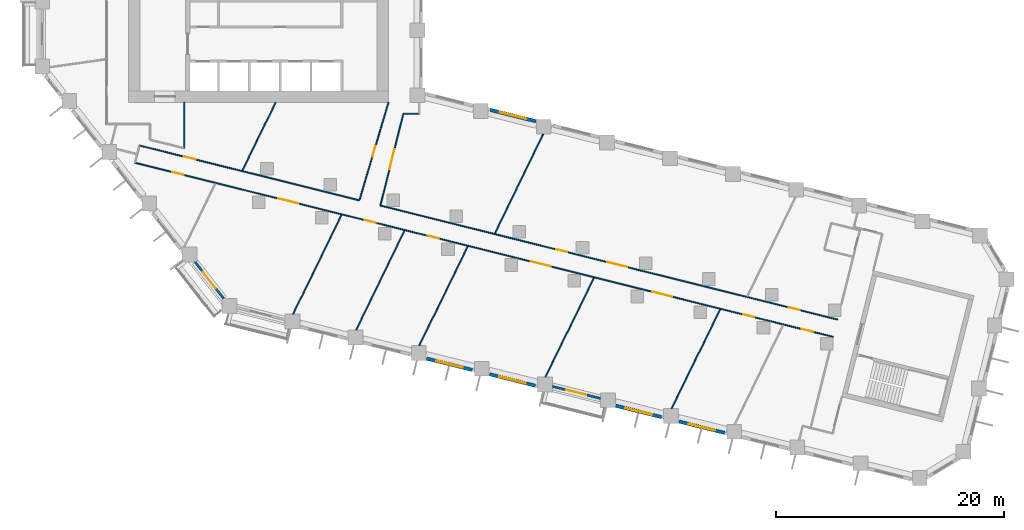
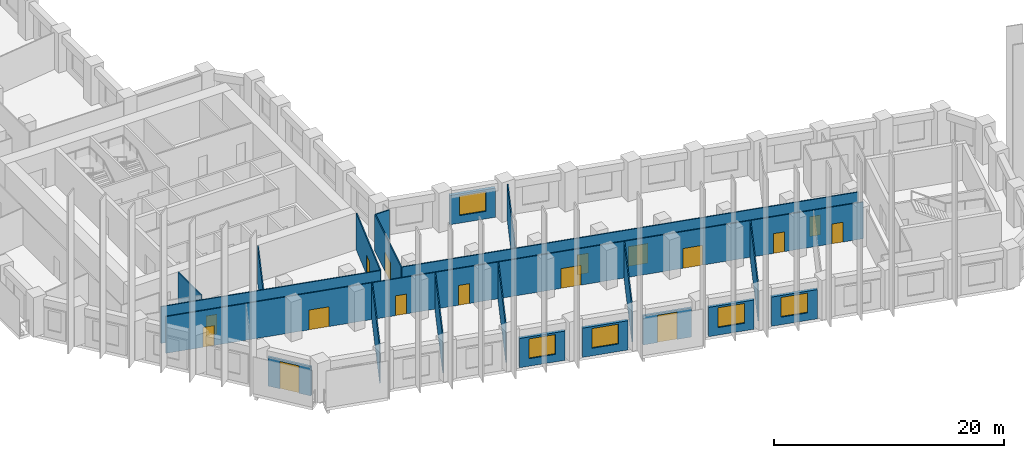
# One storey, part 3 of 11: 21 walls, 16 doors, 5 windows, 21 openings.
"""IFC4 building model written with IfcOpenShell, lengths in metres."""

import ifcopenshell
import ifcopenshell.guid

model = None  # the IFC model being written
_history = None  # IfcOwnerHistory: only IFC2X3 demands one
_inside = {}  # id of a spatial element -> (the spatial element, [elements in it])
_under = {}  # id of a project, library or spatial element -> (it, [spatial elements below it])
_declared = {}  # id of a project -> (the project, [libraries it declares])
_typed = {}  # id of a type object -> (the type object, [elements of that type])
_made_of = {}  # id of a material, layer set ... -> (it, [elements and type objects made of it])


def new_model(schema):
    """Start an empty IFC model of exactly this schema.

    Asked for "IFC4X3", IfcOpenShell would pick the latest addendum, in which some entities
    have other attributes; the version numbers below select the first issue.
    IFC2X3 requires an IfcOwnerHistory on every rooted entity: one is made here for all.
    """
    global model, _history
    if schema == "IFC4X3":
        model = ifcopenshell.file(schema_version=(4, 3, 0, 0))
    else:
        model = ifcopenshell.file(schema=schema)
    _inside.clear()
    _under.clear()
    _declared.clear()
    _typed.clear()
    _made_of.clear()
    _history = None
    if model.schema == "IFC2X3":
        org = make("IfcOrganization", Name="unknown")
        user = make(
            "IfcPersonAndOrganization",
            ThePerson=make("IfcPerson", FamilyName="unknown"),
            TheOrganization=org,
        )
        app = make(
            "IfcApplication",
            ApplicationDeveloper=org,
            Version="unknown",
            ApplicationFullName="unknown",
            ApplicationIdentifier="unknown",
        )
        _history = make(
            "IfcOwnerHistory",
            OwningUser=user,
            OwningApplication=app,
            ChangeAction="ADDED",
            CreationDate=0,
        )
    return model


def make(cls, **values):
    """One entity of the class cls with the attributes given. An attribute that is None is left unset."""
    return model.create_entity(
        cls, **{name: value for name, value in values.items() if value is not None}
    )


def rooted(cls, **values):
    """An entity with a GlobalId (a new one), such as an element, a storey or a relation."""
    return make(cls, GlobalId=ifcopenshell.guid.new(), OwnerHistory=_history, **values)


def si_unit(unit_type, name, prefix=None):
    """IfcSIUnit, for example si_unit("LENGTHUNIT", "METRE", prefix="MILLI")."""
    return make("IfcSIUnit", UnitType=unit_type, Prefix=prefix, Name=name)


def assignment(units):
    """IfcUnitAssignment: the units of a project."""
    return None if units is None else make("IfcUnitAssignment", Units=units)


def point(xyz):
    """IfcCartesianPoint."""
    return None if xyz is None else make("IfcCartesianPoint", Coordinates=xyz)


def direction(xyz):
    """IfcDirection."""
    return None if xyz is None else make("IfcDirection", DirectionRatios=xyz)


def frame(location, z_axis=None, x_axis=None):
    """IfcAxis2Placement3D, a coordinate frame: its origin and axes. An axis left out is left unset."""
    return make(
        "IfcAxis2Placement3D",
        Location=point(location),
        Axis=direction(z_axis),
        RefDirection=direction(x_axis),
    )


def frame_2d(location, x_axis=None):
    """IfcAxis2Placement2D, a coordinate frame in the plane: its origin and x axis."""
    return make(
        "IfcAxis2Placement2D", Location=point(location), RefDirection=direction(x_axis)
    )


def origin():
    """The frame at (0, 0, 0) with its axes left unset."""
    return frame((0.0, 0.0, 0.0))


def place(relative_to, where):
    """IfcLocalPlacement: puts the frame where relative to a parent placement (None: the world)."""
    return make(
        "IfcLocalPlacement", PlacementRelTo=relative_to, RelativePlacement=where
    )


def context(
    kind, dimensions, precision=None, world=None, true_north=None, identifier=None
):
    """IfcGeometricRepresentationContext, for example the 3D "Model" context."""
    return make(
        "IfcGeometricRepresentationContext",
        ContextIdentifier=identifier,
        ContextType=kind,
        CoordinateSpaceDimension=dimensions,
        Precision=precision,
        WorldCoordinateSystem=world,
        TrueNorth=true_north,
    )


def subcontext(parent, identifier, kind, view, scale=None):
    """IfcGeometricRepresentationSubContext, for example "Body" below "Model"."""
    return make(
        "IfcGeometricRepresentationSubContext",
        ContextIdentifier=identifier,
        ContextType=kind,
        ParentContext=parent,
        TargetScale=scale,
        TargetView=view,
    )


def project(units=None, contexts=None):
    """IfcProject with its units and contexts."""
    return rooted(
        "IfcProject",
        Name="project",
        RepresentationContexts=contexts,
        UnitsInContext=assignment(units),
    )


def spatial(cls, under=None, at=None, **own):
    """A site, building, storey or space (cls), placed at a placement, below another one or the project."""
    s = rooted(cls, ObjectPlacement=at, **own)
    if under is not None:
        _under.setdefault(under.id(), (under, []))[1].append(s)
    return s


def profile(cls, at=None, kind="AREA", **sizes):
    """A parametric profile (cls). Its sizes go by their IFC names, for example OverallWidth=200.0."""
    return make(cls, ProfileType=kind, Position=at, **sizes)


def rectangle(**sizes):
    """IfcRectangleProfileDef."""
    return profile("IfcRectangleProfileDef", **sizes)


def extrude(swept, where, along, depth):
    """IfcExtrudedAreaSolid: the profile swept, set in the frame where, extruded along a direction by depth."""
    return make(
        "IfcExtrudedAreaSolid",
        SweptArea=swept,
        Position=where,
        ExtrudedDirection=direction(along),
        Depth=depth,
    )


def shape(context_of_items, identifier, shape_type, items):
    """IfcShapeRepresentation: the items that make up one representation, for example the "Body"."""
    return make(
        "IfcShapeRepresentation",
        ContextOfItems=context_of_items,
        RepresentationIdentifier=identifier,
        RepresentationType=shape_type,
        Items=items,
    )


def material(Name=None, Category=None):
    """IfcMaterial."""
    return make("IfcMaterial", Name=Name, Category=Category)


def layer(
    of_material, thickness, ventilated=None, Name=None, Category=None, Priority=None
):
    """IfcMaterialLayer: one layer of a wall or slab, of a material (None: an air gap)."""
    return make(
        "IfcMaterialLayer",
        Material=of_material,
        LayerThickness=thickness,
        IsVentilated=ventilated,
        Name=Name,
        Category=Category,
        Priority=Priority,
    )


def layer_set(layers, Name=None):
    """IfcMaterialLayerSet."""
    return make("IfcMaterialLayerSet", MaterialLayers=layers, LayerSetName=Name)


def made_of(thing, what):
    """Note that an element or type object is made of a material, layer set ...; save() writes the relation."""
    if what is not None:
        _made_of.setdefault(what.id(), (what, []))[1].append(thing)
    return thing


def type_object(cls, material=None, **own):
    """A type object (cls), such as IfcWallType, which elements share."""
    return made_of(rooted(cls, **own), material)


def element(
    cls,
    number,
    at=None,
    inside=None,
    cuts=None,
    type_object=None,
    material=None,
    context=None,
    identifier="Body",
    shape_type=None,
    held_by="IfcProductDefinitionShape",
    body=None,
    shapes=None,
    **own,
):
    """One element of the class cls, such as IfcWall. Its Tag is "e" and its number.

    at: its placement. inside: the storey or other place that contains it. cuts: it is an
    opening in that element (IfcRelVoidsElement). A single representation is given by context,
    identifier, shape_type and body (its items); several are given by shapes. held_by: the class
    of the entity that holds the representations. save() writes the other relations.
    """
    e = rooted(cls, Tag="e%d" % number, ObjectPlacement=at, **own)
    if body is not None:
        shapes = [shape(context, identifier, shape_type, body)]
    if shapes is not None:
        e.Representation = make(held_by, Representations=shapes)
    if inside is not None:
        _inside.setdefault(inside.id(), (inside, []))[1].append(e)
    if cuts is not None:
        rooted(
            "IfcRelVoidsElement", RelatingBuildingElement=cuts, RelatedOpeningElement=e
        )
    if type_object is not None:
        _typed.setdefault(type_object.id(), (type_object, []))[1].append(e)
    return made_of(e, material)


def fill(opening, filler):
    """IfcRelFillsElement: the door or window that sits in an opening."""
    return rooted(
        "IfcRelFillsElement",
        RelatingOpeningElement=opening,
        RelatedBuildingElement=filler,
    )


def aggregate(whole, parts):
    """IfcRelAggregates: a whole, such as a stair, and the parts it consists of."""
    return rooted("IfcRelAggregates", RelatingObject=whole, RelatedObjects=parts)


def save(model, path):
    """Write the relations noted so far, then the file.

    IfcRelAggregates (storeys below a building ...), IfcRelContainedInSpatialStructure (elements
    in a storey), IfcRelDefinesByType, IfcRelAssociatesMaterial and IfcRelDeclares: one each for
    every whole, place, type object, material and project.
    """
    for whole, parts in _under.values():
        aggregate(whole, parts)
    for where, things in _inside.values():
        rooted(
            "IfcRelContainedInSpatialStructure",
            RelatedElements=things,
            RelatingStructure=where,
        )
    for kind, things in _typed.values():
        rooted("IfcRelDefinesByType", RelatedObjects=things, RelatingType=kind)
    for what, things in _made_of.values():
        rooted("IfcRelAssociatesMaterial", RelatedObjects=things, RelatingMaterial=what)
    for by, libraries in _declared.values():
        rooted("IfcRelDeclares", RelatingContext=by, RelatedDefinitions=libraries)
    model.write(path)


model = new_model("IFC4")

# Units and contexts
model_context = context("Model", 3, precision=1e-05, world=origin(), true_north=direction((0.0, 1.0)))
body_context = subcontext(model_context, "Body", "Model", "MODEL_VIEW")
ifc_project = project(units=[si_unit("LENGTHUNIT", "METRE"), si_unit("AREAUNIT", "SQUARE_METRE"), si_unit("VOLUMEUNIT", "CUBIC_METRE"), si_unit("PLANEANGLEUNIT", "RADIAN"), si_unit("MASSUNIT", "GRAM", prefix="KILO")], contexts=[model_context])

# Site, building, storey
site_placement = place(None, origin())
site = spatial("IfcSite", under=ifc_project, at=site_placement, CompositionType="ELEMENT")
building_placement = place(site_placement, origin())
building = spatial("IfcBuilding", under=site, at=building_placement, Name="Meshkara Civic Tower", CompositionType="ELEMENT")
storey_placement = place(building_placement, frame((0.0, 0.0, 97.199951171875)))
storey = spatial("IfcBuildingStorey", under=building, at=storey_placement, Name="L21", CompositionType="ELEMENT", Elevation=97.199951171875)

# Wall, openings, doors
ifc_material_1 = material(Name="Corridor wall 100")
ifc_layer_1 = layer(ifc_material_1, 0.10009765625)
ifc_layer_set_1 = layer_set([ifc_layer_1], Name="Corridor wall 100")
wall_type_1 = type_object("IfcWallType", Name="Corridor wall 100", PredefinedType="PARTITIONING", material=ifc_layer_set_1)
wall_1_placement = place(storey_placement, frame((8.5791015625, 8.802978515625, 0.0), z_axis=(0.0, 0.0, 1.0), x_axis=(0.9702968999, -0.241917188404, 0.0)))
wall_1 = element("IfcWall", 1, at=wall_1_placement, inside=storey, type_object=wall_type_1, Name="L21-W006", PredefinedType="PARTITIONING", context=body_context, shape_type="SweptSolid", body=[
    extrude(rectangle(XDim=63.075439453125, YDim=0.10009765625, at=frame_2d((31.53759765625, 0.0))), origin(), (0.0, 0.0, 1.0), 3.900146484375),
])
opening_1_placement = place(wall_1_placement, frame((35.743896484375, 0.0, 0.0)))
opening_1 = element("IfcOpeningElement", 2, at=opening_1_placement, cuts=wall_1, Name="Opening L21-D002", PredefinedType="OPENING", context=body_context, shape_type="SweptSolid", body=[
    extrude(rectangle(XDim=1.800048828125, YDim=2.10009765625, at=frame_2d((0.89990234375, 1.050048828125))), frame((0.0, 0.06005859375, 0.0), z_axis=(0.0, -1.0, 0.0), x_axis=(1.0, 0.0, 0.0)), (0.0, 0.0, 1.0), 0.1201171875),
])
opening_2_placement = place(wall_1_placement, frame((46.743896484375, 0.0, 0.0)))
opening_2 = element("IfcOpeningElement", 3, at=opening_2_placement, cuts=wall_1, Name="Opening L21-D004", PredefinedType="OPENING", context=body_context, shape_type="SweptSolid", body=[
    extrude(rectangle(XDim=1.800048828125, YDim=2.10009765625, at=frame_2d((0.89990234375, 1.050048828125))), frame((0.0, 0.06005859375, 0.0), z_axis=(0.0, -1.0, 0.0), x_axis=(1.0, 0.0, 0.0)), (0.0, 0.0, 1.0), 0.1201171875),
])
opening_3_placement = place(wall_1_placement, frame((54.945068359375, 0.0, 0.0)))
opening_3 = element("IfcOpeningElement", 4, at=opening_3_placement, cuts=wall_1, Name="Opening L21-D005", PredefinedType="OPENING", context=body_context, shape_type="SweptSolid", body=[
    extrude(rectangle(XDim=1.0, YDim=2.10009765625, at=frame_2d((0.5, 1.050048828125))), frame((0.0, 0.06005859375, 0.0), z_axis=(0.0, -1.0, 0.0), x_axis=(1.0, 0.0, 0.0)), (0.0, 0.0, 1.0), 0.1201171875),
])
opening_4_placement = place(wall_1_placement, frame((60.243896484375, 0.0, 0.0)))
opening_4 = element("IfcOpeningElement", 5, at=opening_4_placement, cuts=wall_1, Name="Opening L21-D007", PredefinedType="OPENING", context=body_context, shape_type="SweptSolid", body=[
    extrude(rectangle(XDim=1.0, YDim=2.10009765625, at=frame_2d((0.5, 1.050048828125))), frame((0.0, 0.06005859375, 0.0), z_axis=(0.0, -1.0, 0.0), x_axis=(1.0, 0.0, 0.0)), (0.0, 0.0, 1.0), 0.1201171875),
])
opening_5_placement = place(wall_1_placement, frame((12.944091796875, 0.0, 0.0)))
opening_5 = element("IfcOpeningElement", 6, at=opening_5_placement, cuts=wall_1, Name="Opening L21-D008", PredefinedType="OPENING", context=body_context, shape_type="SweptSolid", body=[
    extrude(rectangle(XDim=1.800048828125, YDim=2.10009765625, at=frame_2d((0.89990234375, 1.050048828125))), frame((0.0, 0.06005859375, 0.0), z_axis=(0.0, -1.0, 0.0), x_axis=(1.0, 0.0, 0.0)), (0.0, 0.0, 1.0), 0.1201171875),
])
opening_6_placement = place(wall_1_placement, frame((20.743896484375, 0.0, 0.0)))
opening_6 = element("IfcOpeningElement", 7, at=opening_6_placement, cuts=wall_1, Name="Opening L21-D009", PredefinedType="OPENING", context=body_context, shape_type="SweptSolid", body=[
    extrude(rectangle(XDim=1.0, YDim=2.10009765625, at=frame_2d((0.5, 1.050048828125))), frame((0.0, 0.06005859375, 0.0), z_axis=(0.0, -1.0, 0.0), x_axis=(1.0, 0.0, 0.0)), (0.0, 0.0, 1.0), 0.1201171875),
])
opening_7_placement = place(wall_1_placement, frame((26.444091796875, 0.0, 0.0)))
opening_7 = element("IfcOpeningElement", 8, at=opening_7_placement, cuts=wall_1, Name="Opening L21-D010", PredefinedType="OPENING", context=body_context, shape_type="SweptSolid", body=[
    extrude(rectangle(XDim=1.0, YDim=2.10009765625, at=frame_2d((0.5, 1.050048828125))), frame((0.0, 0.06005859375, 0.0), z_axis=(0.0, -1.0, 0.0), x_axis=(1.0, 0.0, 0.0)), (0.0, 0.0, 1.0), 0.1201171875),
])
opening_8_placement = place(wall_1_placement, frame((3.3798828125, 0.0, 0.0)))
opening_8 = element("IfcOpeningElement", 9, at=opening_8_placement, cuts=wall_1, Name="Opening L21-D014", PredefinedType="OPENING", context=body_context, shape_type="SweptSolid", body=[
    extrude(rectangle(XDim=1.0, YDim=2.10009765625, at=frame_2d((0.5, 1.050048828125))), frame((0.0, 0.06005859375, 0.0), z_axis=(0.0, -1.0, 0.0), x_axis=(1.0, 0.0, 0.0)), (0.0, 0.0, 1.0), 0.1201171875),
])
ifc_material_2 = material(Name="Door 1000 x 2100")
door_type_1 = type_object("IfcDoorType", Name="Door 1000 x 2100", OperationType="SINGLE_SWING_LEFT", PredefinedType="DOOR", material=ifc_material_2)
door_1_placement = place(opening_3_placement, origin())
door_1 = element("IfcDoor", 10, at=door_1_placement, inside=storey, type_object=door_type_1, Name="L21-D005", OperationType="SINGLE_SWING_RIGHT", OverallHeight=2.10009765625, OverallWidth=1.0, PredefinedType="DOOR", context=body_context, shape_type="SweptSolid", body=[
    extrude(rectangle(XDim=1.0, YDim=2.10009765625, at=frame_2d((0.5, 1.050048828125))), frame((0.0, 0.02490234375, 0.0), z_axis=(0.0, -1.0, 0.0), x_axis=(1.0, 0.0, 0.0)), (0.0, 0.0, 1.0), 0.050048828125),
])
fill(opening_3, door_1)
door_2_placement = place(opening_4_placement, origin())
door_2 = element("IfcDoor", 11, at=door_2_placement, inside=storey, type_object=door_type_1, Name="L21-D007", OperationType="SINGLE_SWING_RIGHT", OverallHeight=2.10009765625, OverallWidth=1.0, PredefinedType="DOOR", context=body_context, shape_type="SweptSolid", body=[
    extrude(rectangle(XDim=1.0, YDim=2.10009765625, at=frame_2d((0.5, 1.050048828125))), frame((0.0, 0.02490234375, 0.0), z_axis=(0.0, -1.0, 0.0), x_axis=(1.0, 0.0, 0.0)), (0.0, 0.0, 1.0), 0.050048828125),
])
fill(opening_4, door_2)
door_3_placement = place(opening_6_placement, origin())
door_3 = element("IfcDoor", 12, at=door_3_placement, inside=storey, type_object=door_type_1, Name="L21-D009", OperationType="SINGLE_SWING_RIGHT", OverallHeight=2.10009765625, OverallWidth=1.0, PredefinedType="DOOR", context=body_context, shape_type="SweptSolid", body=[
    extrude(rectangle(XDim=1.0, YDim=2.10009765625, at=frame_2d((0.5, 1.050048828125))), frame((0.0, 0.02490234375, 0.0), z_axis=(0.0, -1.0, 0.0), x_axis=(1.0, 0.0, 0.0)), (0.0, 0.0, 1.0), 0.050048828125),
])
fill(opening_6, door_3)
door_4_placement = place(opening_7_placement, origin())
door_4 = element("IfcDoor", 13, at=door_4_placement, inside=storey, type_object=door_type_1, Name="L21-D010", OperationType="SINGLE_SWING_RIGHT", OverallHeight=2.10009765625, OverallWidth=1.0, PredefinedType="DOOR", context=body_context, shape_type="SweptSolid", body=[
    extrude(rectangle(XDim=1.0, YDim=2.10009765625, at=frame_2d((0.5, 1.050048828125))), frame((0.0, 0.02490234375, 0.0), z_axis=(0.0, -1.0, 0.0), x_axis=(1.0, 0.0, 0.0)), (0.0, 0.0, 1.0), 0.050048828125),
])
fill(opening_7, door_4)
door_5_placement = place(opening_8_placement, origin())
door_5 = element("IfcDoor", 14, at=door_5_placement, inside=storey, type_object=door_type_1, Name="L21-D014", OperationType="SINGLE_SWING_LEFT", OverallHeight=2.10009765625, OverallWidth=1.0, PredefinedType="DOOR", context=body_context, shape_type="SweptSolid", body=[
    extrude(rectangle(XDim=1.0, YDim=2.10009765625, at=frame_2d((0.5, 1.050048828125))), frame((0.0, 0.02490234375, 0.0), z_axis=(0.0, -1.0, 0.0), x_axis=(1.0, 0.0, 0.0)), (0.0, 0.0, 1.0), 0.050048828125),
])
fill(opening_8, door_5)
ifc_material_3 = material(Name="Door pair 1800 x 2100")
door_type_2 = type_object("IfcDoorType", Name="Door pair 1800 x 2100", OperationType="SINGLE_SWING_LEFT", PredefinedType="DOOR", material=ifc_material_3)
door_6_placement = place(opening_1_placement, origin())
door_6 = element("IfcDoor", 15, at=door_6_placement, inside=storey, type_object=door_type_2, Name="L21-D002", OperationType="DOUBLE_DOOR_SINGLE_SWING", OverallHeight=2.10009765625, OverallWidth=1.800048828125, PredefinedType="DOOR", context=body_context, shape_type="SweptSolid", body=[
    extrude(rectangle(XDim=1.800048828125, YDim=2.10009765625, at=frame_2d((0.89990234375, 1.050048828125))), frame((0.0, 0.02490234375, 0.0), z_axis=(0.0, -1.0, 0.0), x_axis=(1.0, 0.0, 0.0)), (0.0, 0.0, 1.0), 0.050048828125),
])
fill(opening_1, door_6)
door_7_placement = place(opening_2_placement, origin())
door_7 = element("IfcDoor", 16, at=door_7_placement, inside=storey, type_object=door_type_2, Name="L21-D004", OperationType="DOUBLE_DOOR_SINGLE_SWING", OverallHeight=2.10009765625, OverallWidth=1.800048828125, PredefinedType="DOOR", context=body_context, shape_type="SweptSolid", body=[
    extrude(rectangle(XDim=1.800048828125, YDim=2.10009765625, at=frame_2d((0.89990234375, 1.050048828125))), frame((0.0, 0.02490234375, 0.0), z_axis=(0.0, -1.0, 0.0), x_axis=(1.0, 0.0, 0.0)), (0.0, 0.0, 1.0), 0.050048828125),
])
fill(opening_2, door_7)
door_8_placement = place(opening_5_placement, origin())
door_8 = element("IfcDoor", 17, at=door_8_placement, inside=storey, type_object=door_type_2, Name="L21-D008", OperationType="DOUBLE_DOOR_SINGLE_SWING", OverallHeight=2.10009765625, OverallWidth=1.800048828125, PredefinedType="DOOR", context=body_context, shape_type="SweptSolid", body=[
    extrude(rectangle(XDim=1.800048828125, YDim=2.10009765625, at=frame_2d((0.89990234375, 1.050048828125))), frame((0.0, 0.02490234375, 0.0), z_axis=(0.0, -1.0, 0.0), x_axis=(1.0, 0.0, 0.0)), (0.0, 0.0, 1.0), 0.050048828125),
])
fill(opening_5, door_8)

# Wall, opening, door
wall_2_placement = place(storey_placement, frame((8.9580078125, 10.322998046875, 0.0), z_axis=(0.0, 0.0, 1.0), x_axis=(0.970298340477, -0.241911410372, 0.0)))
wall_2 = element("IfcWall", 18, at=wall_2_placement, inside=storey, type_object=wall_type_1, Name="L21-W007", PredefinedType="PARTITIONING", context=body_context, shape_type="SweptSolid", body=[
    extrude(rectangle(XDim=19.879638671875, YDim=0.10009765625, at=frame_2d((9.93994140625, 0.0))), origin(), (0.0, 0.0, 1.0), 3.900146484375),
])
opening_9_placement = place(wall_2_placement, frame((4.080078125, 0.0, 0.0)))
opening_9 = element("IfcOpeningElement", 19, at=opening_9_placement, cuts=wall_2, Name="Opening L21-D015", PredefinedType="OPENING", context=body_context, shape_type="SweptSolid", body=[
    extrude(rectangle(XDim=1.0, YDim=2.10009765625, at=frame_2d((0.5, 1.050048828125))), frame((0.0, 0.06005859375, 0.0), z_axis=(0.0, -1.0, 0.0), x_axis=(1.0, 0.0, 0.0)), (0.0, 0.0, 1.0), 0.1201171875),
])
door_9_placement = place(opening_9_placement, origin())
door_9 = element("IfcDoor", 20, at=door_9_placement, inside=storey, type_object=door_type_1, Name="L21-D015", OperationType="SINGLE_SWING_LEFT", OverallHeight=2.10009765625, OverallWidth=1.0, PredefinedType="DOOR", context=body_context, shape_type="SweptSolid", body=[
    extrude(rectangle(XDim=1.0, YDim=2.10009765625, at=frame_2d((0.5, 1.050048828125))), frame((0.0, 0.02490234375, 0.0), z_axis=(0.0, -1.0, 0.0), x_axis=(1.0, 0.0, 0.0)), (0.0, 0.0, 1.0), 0.050048828125),
])
fill(opening_9, door_9)

# Wall
wall_3_placement = place(storey_placement, frame((12.89990234375, 10.077880859375, 0.0), z_axis=(0.0, 0.0, 1.0), x_axis=(0.0, 1.0, 0.0)))
element("IfcWall", 21, at=wall_3_placement, inside=storey, type_object=wall_type_1, Name="L21-W014", PredefinedType="PARTITIONING", context=body_context, shape_type="SweptSolid", body=[
    extrude(rectangle(XDim=4.022216796875, YDim=0.10009765625, at=frame_2d((2.01123046875, 0.0))), origin(), (0.0, 0.0, 1.0), 3.900146484375),
])

# Wall, openings, doors
wall_4_placement = place(storey_placement, frame((30.091064453125, 5.053955078125, 0.0), z_axis=(0.0, 0.0, 1.0), x_axis=(0.970297406124, -0.241915157999, 0.0)))
wall_4 = element("IfcWall", 22, at=wall_4_placement, inside=storey, type_object=wall_type_1, Name="L21-W020", PredefinedType="PARTITIONING", context=body_context, shape_type="SweptSolid", body=[
    extrude(rectangle(XDim=41.29541015625, YDim=0.10009765625, at=frame_2d((20.647705078125, 0.0))), origin(), (0.0, 0.0, 1.0), 3.900146484375),
])
opening_10_placement = place(wall_4_placement, frame((20.488037109375, 0.0, 0.0)))
opening_10 = element("IfcOpeningElement", 23, at=opening_10_placement, cuts=wall_4, Name="Opening L21-D003", PredefinedType="OPENING", context=body_context, shape_type="SweptSolid", body=[
    extrude(rectangle(XDim=1.800048828125, YDim=2.10009765625, at=frame_2d((0.89990234375, 1.050048828125))), frame((0.0, 0.06005859375, 0.0), z_axis=(0.0, -1.0, 0.0), x_axis=(1.0, 0.0, 0.0)), (0.0, 0.0, 1.0), 0.1201171875),
])
opening_11_placement = place(wall_4_placement, frame((36.886962890625, 0.0, 0.0)))
opening_11 = element("IfcOpeningElement", 24, at=opening_11_placement, cuts=wall_4, Name="Opening L21-D006", PredefinedType="OPENING", context=body_context, shape_type="SweptSolid", body=[
    extrude(rectangle(XDim=1.0, YDim=2.10009765625, at=frame_2d((0.5, 1.050048828125))), frame((0.0, 0.06005859375, 0.0), z_axis=(0.0, -1.0, 0.0), x_axis=(1.0, 0.0, 0.0)), (0.0, 0.0, 1.0), 0.1201171875),
])
opening_12_placement = place(wall_4_placement, frame((15.887939453125, 0.0, 0.0)))
opening_12 = element("IfcOpeningElement", 25, at=opening_12_placement, cuts=wall_4, Name="Opening L21-D011", PredefinedType="OPENING", context=body_context, shape_type="SweptSolid", body=[
    extrude(rectangle(XDim=1.0, YDim=2.10009765625, at=frame_2d((0.5, 1.050048828125))), frame((0.0, 0.06005859375, 0.0), z_axis=(0.0, -1.0, 0.0), x_axis=(1.0, 0.0, 0.0)), (0.0, 0.0, 1.0), 0.1201171875),
])
door_10_placement = place(opening_11_placement, origin())
door_10 = element("IfcDoor", 26, at=door_10_placement, inside=storey, type_object=door_type_1, Name="L21-D006", OperationType="SINGLE_SWING_RIGHT", OverallHeight=2.10009765625, OverallWidth=1.0, PredefinedType="DOOR", context=body_context, shape_type="SweptSolid", body=[
    extrude(rectangle(XDim=1.0, YDim=2.10009765625, at=frame_2d((0.5, 1.050048828125))), frame((0.0, 0.02490234375, 0.0), z_axis=(0.0, -1.0, 0.0), x_axis=(1.0, 0.0, 0.0)), (0.0, 0.0, 1.0), 0.050048828125),
])
fill(opening_11, door_10)
door_11_placement = place(opening_12_placement, origin())
door_11 = element("IfcDoor", 27, at=door_11_placement, inside=storey, type_object=door_type_1, Name="L21-D011", OperationType="SINGLE_SWING_LEFT", OverallHeight=2.10009765625, OverallWidth=1.0, PredefinedType="DOOR", context=body_context, shape_type="SweptSolid", body=[
    extrude(rectangle(XDim=1.0, YDim=2.10009765625, at=frame_2d((0.5, 1.050048828125))), frame((0.0, 0.02490234375, 0.0), z_axis=(0.0, -1.0, 0.0), x_axis=(1.0, 0.0, 0.0)), (0.0, 0.0, 1.0), 0.050048828125),
])
fill(opening_12, door_11)
door_12_placement = place(opening_10_placement, origin())
door_12 = element("IfcDoor", 28, at=door_12_placement, inside=storey, type_object=door_type_2, Name="L21-D003", OperationType="DOUBLE_DOOR_SINGLE_SWING", OverallHeight=2.10009765625, OverallWidth=1.800048828125, PredefinedType="DOOR", context=body_context, shape_type="SweptSolid", body=[
    extrude(rectangle(XDim=1.800048828125, YDim=2.10009765625, at=frame_2d((0.89990234375, 1.050048828125))), frame((0.0, 0.02490234375, 0.0), z_axis=(0.0, -1.0, 0.0), x_axis=(1.0, 0.0, 0.0)), (0.0, 0.0, 1.0), 0.050048828125),
])
fill(opening_10, door_12)

# Wall, opening, door
wall_5_placement = place(storey_placement, frame((30.091064453125, 5.053955078125, 0.0), z_axis=(0.0, 0.0, 1.0), x_axis=(0.241891322374, 0.970303348526, 0.0)))
wall_5 = element("IfcWall", 29, at=wall_5_placement, inside=storey, type_object=wall_type_1, Name="L21-W021", PredefinedType="PARTITIONING", context=body_context, shape_type="SweptSolid", body=[
    extrude(rectangle(XDim=8.29248046875, YDim=0.10009765625, at=frame_2d((4.146240234375, 0.0))), origin(), (0.0, 0.0, 1.0), 3.900146484375),
])
opening_13_placement = place(wall_5_placement, frame((3.280029296875, 0.0, 0.0)))
opening_13 = element("IfcOpeningElement", 30, at=opening_13_placement, cuts=wall_5, Name="Opening L21-D017", PredefinedType="OPENING", context=body_context, shape_type="SweptSolid", body=[
    extrude(rectangle(XDim=1.800048828125, YDim=2.10009765625, at=frame_2d((0.89990234375, 1.050048828125))), frame((0.0, 0.06005859375, 0.0), z_axis=(0.0, -1.0, 0.0), x_axis=(1.0, 0.0, 0.0)), (0.0, 0.0, 1.0), 0.1201171875),
])
door_13_placement = place(opening_13_placement, origin())
door_13 = element("IfcDoor", 31, at=door_13_placement, inside=storey, type_object=door_type_2, Name="L21-D017", OperationType="DOUBLE_DOOR_SINGLE_SWING", OverallHeight=2.10009765625, OverallWidth=1.800048828125, PredefinedType="DOOR", context=body_context, shape_type="SweptSolid", body=[
    extrude(rectangle(XDim=1.800048828125, YDim=2.10009765625, at=frame_2d((0.89990234375, 1.050048828125))), frame((0.0, 0.02490234375, 0.0), z_axis=(0.0, -1.0, 0.0), x_axis=(1.0, 0.0, 0.0)), (0.0, 0.0, 1.0), 0.050048828125),
])
fill(opening_13, door_13)

wall_6_placement = place(storey_placement, frame((30.800048828125, 14.10009765625, 0.0), z_axis=(0.0, 0.0, 1.0), x_axis=(-0.285004107837, -0.958526295162, 0.0)))
wall_6 = element("IfcWall", 32, at=wall_6_placement, inside=storey, type_object=wall_type_1, Name="L21-W022", PredefinedType="PARTITIONING", context=body_context, shape_type="SweptSolid", body=[
    extrude(rectangle(XDim=8.957763671875, YDim=0.10009765625, at=frame_2d((4.47900390625, 0.0))), origin(), (0.0, 0.0, 1.0), 3.900146484375),
])
opening_14_placement = place(wall_6_placement, frame((3.97998046875, 0.0, 0.0)))
opening_14 = element("IfcOpeningElement", 33, at=opening_14_placement, cuts=wall_6, Name="Opening L21-D016", PredefinedType="OPENING", context=body_context, shape_type="SweptSolid", body=[
    extrude(rectangle(XDim=1.0, YDim=2.10009765625, at=frame_2d((0.5, 1.050048828125))), frame((0.0, 0.06005859375, 0.0), z_axis=(0.0, -1.0, 0.0), x_axis=(1.0, 0.0, 0.0)), (0.0, 0.0, 1.0), 0.1201171875),
])
door_14_placement = place(opening_14_placement, origin())
door_14 = element("IfcDoor", 34, at=door_14_placement, inside=storey, type_object=door_type_1, Name="L21-D016", OperationType="SINGLE_SWING_LEFT", OverallHeight=2.10009765625, OverallWidth=1.0, PredefinedType="DOOR", context=body_context, shape_type="SweptSolid", body=[
    extrude(rectangle(XDim=1.0, YDim=2.10009765625, at=frame_2d((0.5, 1.050048828125))), frame((0.0, 0.02490234375, 0.0), z_axis=(0.0, -1.0, 0.0), x_axis=(1.0, 0.0, 0.0)), (0.0, 0.0, 1.0), 0.050048828125),
])
fill(opening_14, door_14)

# Wall
wall_7_placement = place(storey_placement, frame((32.096923828125, 13.10009765625, 0.0), z_axis=(0.0, 0.0, 1.0), x_axis=(1.0, 0.0, 0.0)))
element("IfcWall", 35, at=wall_7_placement, inside=storey, type_object=wall_type_1, Name="L21-W023", PredefinedType="PARTITIONING", context=body_context, shape_type="SweptSolid", body=[
    extrude(rectangle(XDim=1.403076171875, YDim=0.10009765625, at=frame_2d((0.70166015625, 0.0))), origin(), (0.0, 0.0, 1.0), 3.900146484375),
])

# Wall, opening, window
ifc_material_4 = material(Name="Insulated infill panel with bronze anodised aluminium cladding", Category="aluminium")
ifc_layer_2 = layer(ifc_material_4, 0.300048828125)
ifc_layer_set_2 = layer_set([ifc_layer_2], Name="EXTERNAL INFILL WALL 300")
wall_type_2 = type_object("IfcWallType", Name="EXTERNAL INFILL WALL 300", PredefinedType="SOLIDWALL", material=ifc_layer_set_2)
wall_8_placement = place(storey_placement, frame((43.718994140625, 12.443115234375, 0.0), z_axis=(0.0, 0.0, 1.0), x_axis=(-0.970281650314, 0.241978344205, 0.0)))
wall_8 = element("IfcWall", 36, at=wall_8_placement, inside=storey, type_object=wall_type_2, Name="External wall", PredefinedType="SOLIDWALL", context=body_context, shape_type="SweptSolid", body=[
    extrude(rectangle(XDim=4.12353515625, YDim=0.300048828125, at=frame_2d((2.061767578125, 0.0))), origin(), (0.0, 0.0, 1.0), 3.10009765625),
])
opening_15_placement = place(wall_8_placement, frame((0.862060546875, 0.0, 0.800048828125)))
opening_15 = element("IfcOpeningElement", 37, at=opening_15_placement, cuts=wall_8, Name="Opening W7", PredefinedType="OPENING", context=body_context, shape_type="SweptSolid", body=[
    extrude(rectangle(XDim=2.39990234375, YDim=2.10009765625, at=frame_2d((1.199951171875, 1.050048828125))), frame((0.0, 0.159912109375, 0.0), z_axis=(0.0, -1.0, 0.0), x_axis=(1.0, 0.0, 0.0)), (0.0, 0.0, 1.0), 0.320068359375),
])
ifc_material_5 = material(Name="Tinted double glazing", Category="glass")
window_type = type_object("IfcWindowType", Name="WINDOW 2400x2100", PartitioningType="DOUBLE_PANEL_VERTICAL", PredefinedType="WINDOW", material=ifc_material_5)
window_1_placement = place(opening_15_placement, origin())
window_1 = element("IfcWindow", 38, at=window_1_placement, inside=storey, type_object=window_type, Name="Window", OverallHeight=2.10009765625, OverallWidth=2.39990234375, PartitioningType="DOUBLE_PANEL_VERTICAL", PredefinedType="WINDOW", context=body_context, shape_type="SweptSolid", body=[
    extrude(rectangle(XDim=2.39990234375, YDim=2.10009765625, at=frame_2d((1.199951171875, 1.050048828125))), frame((0.0, 0.030029296875, 0.0), z_axis=(0.0, -1.0, 0.0), x_axis=(1.0, 0.0, 0.0)), (0.0, 0.0, 1.0), 0.06005859375),
])
fill(opening_15, window_1)

wall_9_placement = place(storey_placement, frame((34.135009765625, -8.35595703125, 0.0), z_axis=(0.0, 0.0, 1.0), x_axis=(0.970281616392, -0.241978480223, 0.0)))
wall_9 = element("IfcWall", 39, at=wall_9_placement, inside=storey, type_object=wall_type_2, Name="External wall", PredefinedType="SOLIDWALL", context=body_context, shape_type="SweptSolid", body=[
    extrude(rectangle(XDim=4.12451171875, YDim=0.300048828125, at=frame_2d((2.062255859375, 0.0))), origin(), (0.0, 0.0, 1.0), 3.10009765625),
])
opening_16_placement = place(wall_9_placement, frame((0.862060546875, 0.0, 0.800048828125)))
opening_16 = element("IfcOpeningElement", 40, at=opening_16_placement, cuts=wall_9, Name="Opening W7", PredefinedType="OPENING", context=body_context, shape_type="SweptSolid", body=[
    extrude(rectangle(XDim=2.39990234375, YDim=2.10009765625, at=frame_2d((1.199951171875, 1.050048828125))), frame((0.0, 0.159912109375, 0.0), z_axis=(0.0, -1.0, 0.0), x_axis=(1.0, 0.0, 0.0)), (0.0, 0.0, 1.0), 0.320068359375),
])
window_2_placement = place(opening_16_placement, origin())
window_2 = element("IfcWindow", 41, at=window_2_placement, inside=storey, type_object=window_type, Name="Window", OverallHeight=2.10009765625, OverallWidth=2.39990234375, PartitioningType="DOUBLE_PANEL_VERTICAL", PredefinedType="WINDOW", context=body_context, shape_type="SweptSolid", body=[
    extrude(rectangle(XDim=2.39990234375, YDim=2.10009765625, at=frame_2d((1.199951171875, 1.050048828125))), frame((0.0, 0.030029296875, 0.0), z_axis=(0.0, -1.0, 0.0), x_axis=(1.0, 0.0, 0.0)), (0.0, 0.0, 1.0), 0.06005859375),
])
fill(opening_16, window_2)

wall_10_placement = place(storey_placement, frame((39.666015625, -9.735107421875, 0.0), z_axis=(0.0, 0.0, 1.0), x_axis=(0.97029551261, -0.241922752565, 0.0)))
wall_10 = element("IfcWall", 42, at=wall_10_placement, inside=storey, type_object=wall_type_2, Name="External wall", PredefinedType="SOLIDWALL", context=body_context, shape_type="SweptSolid", body=[
    extrude(rectangle(XDim=4.12451171875, YDim=0.300048828125, at=frame_2d((2.062255859375, 0.0))), origin(), (0.0, 0.0, 1.0), 3.10009765625),
])
opening_17_placement = place(wall_10_placement, frame((0.862060546875, 0.0, 0.800048828125)))
opening_17 = element("IfcOpeningElement", 43, at=opening_17_placement, cuts=wall_10, Name="Opening W7", PredefinedType="OPENING", context=body_context, shape_type="SweptSolid", body=[
    extrude(rectangle(XDim=2.39990234375, YDim=2.10009765625, at=frame_2d((1.199951171875, 1.050048828125))), frame((0.0, 0.159912109375, 0.0), z_axis=(0.0, -1.0, 0.0), x_axis=(1.0, 0.0, 0.0)), (0.0, 0.0, 1.0), 0.320068359375),
])
window_3_placement = place(opening_17_placement, origin())
window_3 = element("IfcWindow", 44, at=window_3_placement, inside=storey, type_object=window_type, Name="Window", OverallHeight=2.10009765625, OverallWidth=2.39990234375, PartitioningType="DOUBLE_PANEL_VERTICAL", PredefinedType="WINDOW", context=body_context, shape_type="SweptSolid", body=[
    extrude(rectangle(XDim=2.39990234375, YDim=2.10009765625, at=frame_2d((1.199951171875, 1.050048828125))), frame((0.0, 0.030029296875, 0.0), z_axis=(0.0, -1.0, 0.0), x_axis=(1.0, 0.0, 0.0)), (0.0, 0.0, 1.0), 0.06005859375),
])
fill(opening_17, window_3)

wall_11_placement = place(storey_placement, frame((50.72705078125, -12.492919921875, 0.0), z_axis=(0.0, 0.0, 1.0), x_axis=(0.970281616392, -0.241978480223, 0.0)))
wall_11 = element("IfcWall", 45, at=wall_11_placement, inside=storey, type_object=wall_type_2, Name="External wall", PredefinedType="SOLIDWALL", context=body_context, shape_type="SweptSolid", body=[
    extrude(rectangle(XDim=4.12451171875, YDim=0.300048828125, at=frame_2d((2.062255859375, 0.0))), origin(), (0.0, 0.0, 1.0), 3.10009765625),
])
opening_18_placement = place(wall_11_placement, frame((0.862060546875, 0.0, 0.800048828125)))
opening_18 = element("IfcOpeningElement", 46, at=opening_18_placement, cuts=wall_11, Name="Opening W7", PredefinedType="OPENING", context=body_context, shape_type="SweptSolid", body=[
    extrude(rectangle(XDim=2.39990234375, YDim=2.10009765625, at=frame_2d((1.199951171875, 1.050048828125))), frame((0.0, 0.159912109375, 0.0), z_axis=(0.0, -1.0, 0.0), x_axis=(1.0, 0.0, 0.0)), (0.0, 0.0, 1.0), 0.320068359375),
])
window_4_placement = place(opening_18_placement, origin())
window_4 = element("IfcWindow", 47, at=window_4_placement, inside=storey, type_object=window_type, Name="Window", OverallHeight=2.10009765625, OverallWidth=2.39990234375, PartitioningType="DOUBLE_PANEL_VERTICAL", PredefinedType="WINDOW", context=body_context, shape_type="SweptSolid", body=[
    extrude(rectangle(XDim=2.39990234375, YDim=2.10009765625, at=frame_2d((1.199951171875, 1.050048828125))), frame((0.0, 0.030029296875, 0.0), z_axis=(0.0, -1.0, 0.0), x_axis=(1.0, 0.0, 0.0)), (0.0, 0.0, 1.0), 0.06005859375),
])
fill(opening_18, window_4)

wall_12_placement = place(storey_placement, frame((56.258056640625, -13.8720703125, 0.0), z_axis=(0.0, 0.0, 1.0), x_axis=(0.970281616392, -0.241978480223, 0.0)))
wall_12 = element("IfcWall", 48, at=wall_12_placement, inside=storey, type_object=wall_type_2, Name="External wall", PredefinedType="SOLIDWALL", context=body_context, shape_type="SweptSolid", body=[
    extrude(rectangle(XDim=4.12451171875, YDim=0.300048828125, at=frame_2d((2.062255859375, 0.0))), origin(), (0.0, 0.0, 1.0), 3.10009765625),
])
opening_19_placement = place(wall_12_placement, frame((0.862060546875, 0.0, 0.800048828125)))
opening_19 = element("IfcOpeningElement", 49, at=opening_19_placement, cuts=wall_12, Name="Opening W7", PredefinedType="OPENING", context=body_context, shape_type="SweptSolid", body=[
    extrude(rectangle(XDim=2.39990234375, YDim=2.10009765625, at=frame_2d((1.199951171875, 1.050048828125))), frame((0.0, 0.159912109375, 0.0), z_axis=(0.0, -1.0, 0.0), x_axis=(1.0, 0.0, 0.0)), (0.0, 0.0, 1.0), 0.320068359375),
])
window_5_placement = place(opening_19_placement, origin())
window_5 = element("IfcWindow", 50, at=window_5_placement, inside=storey, type_object=window_type, Name="Window", OverallHeight=2.10009765625, OverallWidth=2.39990234375, PartitioningType="DOUBLE_PANEL_VERTICAL", PredefinedType="WINDOW", context=body_context, shape_type="SweptSolid", body=[
    extrude(rectangle(XDim=2.39990234375, YDim=2.10009765625, at=frame_2d((1.199951171875, 1.050048828125))), frame((0.0, 0.030029296875, 0.0), z_axis=(0.0, -1.0, 0.0), x_axis=(1.0, 0.0, 0.0)), (0.0, 0.0, 1.0), 0.06005859375),
])
fill(opening_19, window_5)

# Wall, opening, door
ifc_material_6 = material(Name="Insulated infill panel with bronze anodised aluminium cladding", Category="aluminium")
ifc_layer_3 = layer(ifc_material_6, 0.199951171875)
ifc_layer_set_3 = layer_set([ifc_layer_3], Name="LOGGIA BACK WALL 200")
wall_type_3 = type_object("IfcWallType", Name="LOGGIA BACK WALL 200", PredefinedType="SOLIDWALL", material=ifc_layer_set_3)
wall_13_placement = place(storey_placement, frame((13.85009765625, 0.10400390625, 0.0), z_axis=(0.0, 0.0, 1.0), x_axis=(0.615529395526, -0.788113927833, 0.0)))
wall_13 = element("IfcWall", 51, at=wall_13_placement, inside=storey, type_object=wall_type_3, Name="Loggia wall", PredefinedType="SOLIDWALL", context=body_context, shape_type="SweptSolid", body=[
    extrude(rectangle(XDim=4.050048828125, YDim=0.199951171875, at=frame_2d((2.02490234375, 0.0))), origin(), (0.0, 0.0, 1.0), 3.10009765625),
])
opening_20_placement = place(wall_13_placement, frame((1.125, 0.0, 0.0)))
opening_20 = element("IfcOpeningElement", 52, at=opening_20_placement, cuts=wall_13, Name="Opening L21-L003", PredefinedType="OPENING", context=body_context, shape_type="SweptSolid", body=[
    extrude(rectangle(XDim=1.800048828125, YDim=2.89990234375, at=frame_2d((0.89990234375, 1.449951171875))), frame((0.0, 0.10986328125, 0.0), z_axis=(0.0, -1.0, 0.0), x_axis=(1.0, 0.0, 0.0)), (0.0, 0.0, 1.0), 0.219970703125),
])
ifc_material_7 = material(Name="Tinted double glazing", Category="glass")
door_type_3 = type_object("IfcDoorType", Name="LOGGIA DOOR 1800x2900", OperationType="DOUBLE_DOOR_SINGLE_SWING", PredefinedType="DOOR", material=ifc_material_7)
door_15_placement = place(opening_20_placement, origin())
door_15 = element("IfcDoor", 53, at=door_15_placement, inside=storey, type_object=door_type_3, Name="L21-L003", OperationType="DOUBLE_DOOR_SINGLE_SWING", OverallHeight=2.89990234375, OverallWidth=1.800048828125, PredefinedType="DOOR", context=body_context, shape_type="SweptSolid", body=[
    extrude(rectangle(XDim=1.800048828125, YDim=2.89990234375, at=frame_2d((0.89990234375, 1.449951171875))), frame((0.0, 0.02490234375, 0.0), z_axis=(0.0, -1.0, 0.0), x_axis=(1.0, 0.0, 0.0)), (0.0, 0.0, 1.0), 0.050048828125),
])
fill(opening_20, door_15)

wall_14_placement = place(storey_placement, frame((45.155029296875, -10.794921875, 0.0), z_axis=(0.0, 0.0, 1.0), x_axis=(0.970320133294, -0.241823983352, 0.0)))
wall_14 = element("IfcWall", 54, at=wall_14_placement, inside=storey, type_object=wall_type_3, Name="Loggia wall", PredefinedType="SOLIDWALL", context=body_context, shape_type="SweptSolid", body=[
    extrude(rectangle(XDim=4.359375, YDim=0.199951171875, at=frame_2d((2.1796875, 0.0))), origin(), (0.0, 0.0, 1.0), 3.10009765625),
])
opening_21_placement = place(wall_14_placement, frame((1.279052734375, 0.0, 0.0)))
opening_21 = element("IfcOpeningElement", 55, at=opening_21_placement, cuts=wall_14, Name="Opening L21-L005", PredefinedType="OPENING", context=body_context, shape_type="SweptSolid", body=[
    extrude(rectangle(XDim=1.800048828125, YDim=2.89990234375, at=frame_2d((0.89990234375, 1.449951171875))), frame((0.0, 0.10986328125, 0.0), z_axis=(0.0, -1.0, 0.0), x_axis=(1.0, 0.0, 0.0)), (0.0, 0.0, 1.0), 0.219970703125),
])
door_16_placement = place(opening_21_placement, origin())
door_16 = element("IfcDoor", 56, at=door_16_placement, inside=storey, type_object=door_type_3, Name="L21-L005", OperationType="DOUBLE_DOOR_SINGLE_SWING", OverallHeight=2.89990234375, OverallWidth=1.800048828125, PredefinedType="DOOR", context=body_context, shape_type="SweptSolid", body=[
    extrude(rectangle(XDim=1.800048828125, YDim=2.89990234375, at=frame_2d((0.89990234375, 1.449951171875))), frame((0.0, 0.02490234375, 0.0), z_axis=(0.0, -1.0, 0.0), x_axis=(1.0, 0.0, 0.0)), (0.0, 0.0, 1.0), 0.050048828125),
])
fill(opening_21, door_16)

# Walls
ifc_material_8 = material(Name="Partition 100")
ifc_layer_4 = layer(ifc_material_8, 0.10009765625)
ifc_layer_set_4 = layer_set([ifc_layer_4], Name="Partition 100")
wall_type_4 = type_object("IfcWallType", Name="Partition 100", PredefinedType="PARTITIONING", material=ifc_layer_set_4)
wall_15_placement = place(storey_placement, frame((17.9970703125, 8.131103515625, 0.0), z_axis=(0.0, 0.0, 1.0), x_axis=(0.438324399474, 0.898816844983, 0.0)))
element("IfcWall", 57, at=wall_15_placement, inside=storey, type_object=wall_type_4, Name="L21-W039", PredefinedType="PARTITIONING", context=body_context, shape_type="SweptSolid", body=[
    extrude(rectangle(XDim=6.640869140625, YDim=0.10009765625, at=frame_2d((3.3203125, 0.0))), origin(), (0.0, 0.0, 1.0), 3.900146484375),
])
for number, where, z_axis, x_axis, name in (
    (58, (22.43310546875, -4.467041015625, 0.0), (0.0, 0.0, 1.0), (0.438299845828, 0.898828818601, 0.0), "L21-W043"),
    (59, (27.964111328125, -5.845947265625, 0.0), (0.0, 0.0, 1.0), (0.438299845828, 0.898828818601, 0.0), "L21-W044"),
    (60, (33.4951171875, -7.22509765625, 0.0), (0.0, 0.0, 1.0), (0.438299845828, 0.898828818601, 0.0), "L21-W045"),
):
    element("IfcWall", number, at=place(storey_placement, frame(where, z_axis=z_axis, x_axis=x_axis)), inside=storey, type_object=wall_type_4, Name=name, PredefinedType="PARTITIONING", context=body_context, shape_type="SweptSolid", body=[
        extrude(rectangle(XDim=9.676025390625, YDim=0.10009765625, at=frame_2d((4.837890625, 0.0))), origin(), (0.0, 0.0, 1.0), 3.900146484375),
    ])
wall_16_placement = place(storey_placement, frame((40.1201171875, 2.614990234375, 0.0), z_axis=(0.0, 0.0, 1.0), x_axis=(0.438339609777, 0.898809427243, 0.0)))
element("IfcWall", 61, at=wall_16_placement, inside=storey, type_object=wall_type_4, Name="L21-W046", PredefinedType="PARTITIONING", context=body_context, shape_type="SweptSolid", body=[
    extrude(rectangle(XDim=9.675048828125, YDim=0.10009765625, at=frame_2d((4.83740234375, 0.0))), origin(), (0.0, 0.0, 1.0), 3.900146484375),
])
wall_17_placement = place(storey_placement, frame((44.555908203125, -9.98193359375, 0.0), z_axis=(0.0, 0.0, 1.0), x_axis=(0.438359994928, 0.89879948534, 0.0)))
element("IfcWall", 62, at=wall_17_placement, inside=storey, type_object=wall_type_4, Name="L21-W047", PredefinedType="PARTITIONING", context=body_context, shape_type="SweptSolid", body=[
    extrude(rectangle(XDim=9.67529296875, YDim=0.10009765625, at=frame_2d((4.837646484375, 0.0))), origin(), (0.0, 0.0, 1.0), 3.900146484375),
])
wall_18_placement = place(storey_placement, frame((55.617919921875, -12.739990234375, 0.0), z_axis=(0.0, 0.0, 1.0), x_axis=(0.438339609777, 0.898809427243, 0.0)))
element("IfcWall", 63, at=wall_18_placement, inside=storey, type_object=wall_type_4, Name="L21-W048", PredefinedType="PARTITIONING", context=body_context, shape_type="SweptSolid", body=[
    extrude(rectangle(XDim=9.675048828125, YDim=0.10009765625, at=frame_2d((4.83740234375, 0.0))), origin(), (0.0, 0.0, 1.0), 3.900146484375),
])

save(model, "model.ifc")
